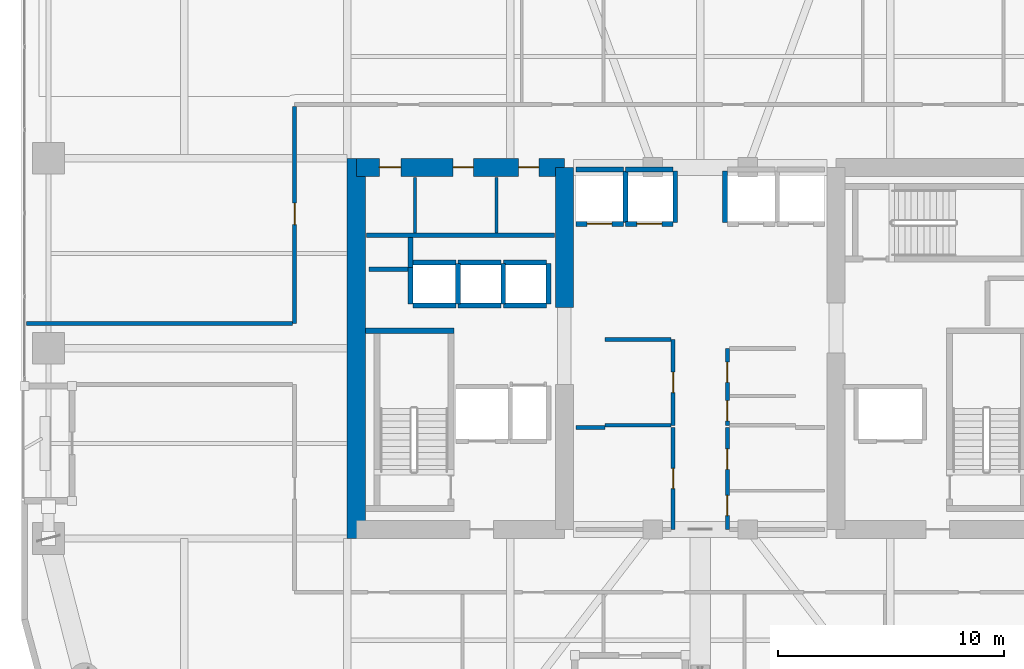
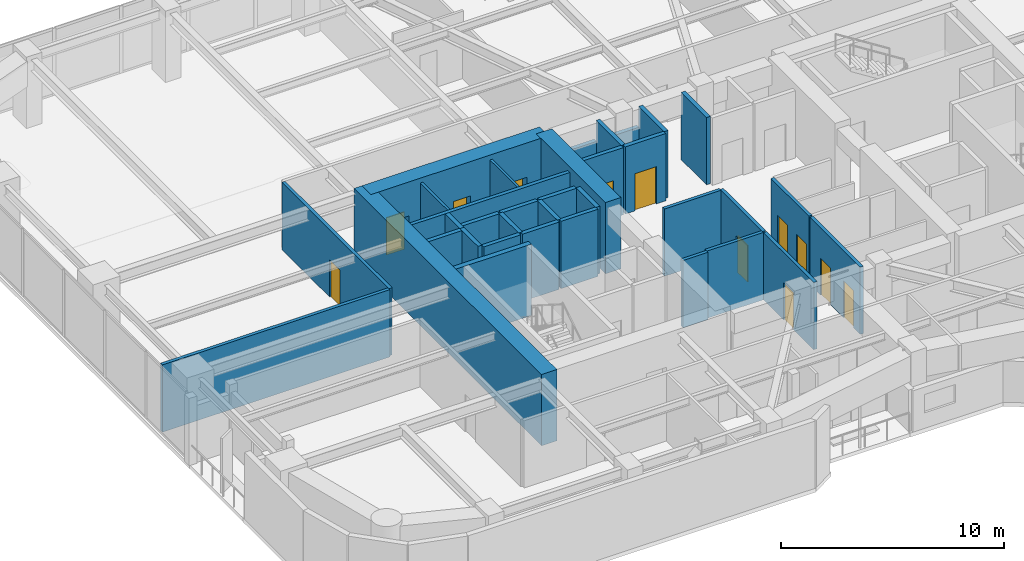
# One storey, part 25 of 30: 35 walls, 12 doors, 12 openings.
"""IFC4 building model written with IfcOpenShell, lengths in metres."""

from ifc_helpers import new_model, si_unit, direction, frame, frame_2d, origin, place, context, subcontext, project, spatial, rectangle, extrude, material, layer, layer_set, type_object, element, fill, save


model = new_model("IFC4")

# Units and contexts
model_context = context("Model", 3, precision=1e-05, world=origin(), true_north=direction((0.0, 1.0)))
body_context = subcontext(model_context, "Body", "Model", "MODEL_VIEW")
ifc_project = project(units=[si_unit("LENGTHUNIT", "METRE"), si_unit("AREAUNIT", "SQUARE_METRE"), si_unit("VOLUMEUNIT", "CUBIC_METRE"), si_unit("PLANEANGLEUNIT", "RADIAN"), si_unit("MASSUNIT", "GRAM", prefix="KILO")], contexts=[model_context])

# Site, building, storey
site_placement = place(None, origin())
site = spatial("IfcSite", under=ifc_project, at=site_placement, CompositionType="ELEMENT")
building_placement = place(site_placement, origin())
building = spatial("IfcBuilding", under=site, at=building_placement, Name="Kiyonajd Concourse Tower", CompositionType="ELEMENT")
storey_placement = place(building_placement, frame((0.0, 0.0, 150.60009765625)))
storey = spatial("IfcBuildingStorey", under=building, at=storey_placement, Name="L38", CompositionType="ELEMENT", Elevation=150.60009765625)

# Walls
ifc_material_1 = material(Name="Concrete C70/85", Category="concrete")
ifc_layer_1 = layer(ifc_material_1, 0.800048828125)
ifc_layer_set_1 = layer_set([ifc_layer_1], Name="Concrete C70/85")
wall_type_1 = type_object("IfcWallType", Name="WL-CORE-800", PredefinedType="SHEAR", material=ifc_layer_set_1)
wall_1_placement = place(storey_placement, frame((32.800048828125, 27.60009765625, 0.0), z_axis=(0.0, 0.0, 1.0), x_axis=(0.0, 1.0, 0.0)))
element("IfcWall", 1, at=wall_1_placement, inside=storey, type_object=wall_type_1, Name="L38 West Core Outer Shear Wall", PredefinedType="SHEAR", context=body_context, shape_type="SweptSolid", body=[
    extrude(rectangle(XDim=16.7998046875, YDim=0.800048828125, at=frame_2d((8.39990234375, 0.0))), origin(), (0.0, 0.0, 1.0), 3.89990234375),
])
wall_2_placement = place(storey_placement, frame((42.0, 37.800048828125, 0.0), z_axis=(0.0, 0.0, 1.0), x_axis=(0.0, 1.0, 0.0)))
element("IfcWall", 2, at=wall_2_placement, inside=storey, type_object=wall_type_1, Name="L38 West Core Inner North Shear Wall", PredefinedType="SHEAR", context=body_context, shape_type="SweptSolid", body=[
    extrude(rectangle(XDim=6.199951171875, YDim=0.800048828125, at=frame_2d((3.10009765625, 0.0))), origin(), (0.0, 0.0, 1.0), 3.89990234375),
])

# Wall, openings, doors
wall_3_placement = place(storey_placement, frame((32.800048828125, 44.0, 0.0), z_axis=(0.0, 0.0, 1.0), x_axis=(1.0, 0.0, 0.0)))
wall_3 = element("IfcWall", 3, at=wall_3_placement, inside=storey, type_object=wall_type_1, Name="L38 West Core North Shear Wall", PredefinedType="SHEAR", context=body_context, shape_type="SweptSolid", body=[
    extrude(rectangle(XDim=9.199951171875, YDim=0.800048828125, at=frame_2d((4.60009765625, 0.0))), origin(), (0.0, 0.0, 1.0), 3.89990234375),
])
opening_1_placement = place(wall_3_placement, frame((1.02490234375, 0.0, 0.0)))
opening_1 = element("IfcOpeningElement", 4, at=opening_1_placement, cuts=wall_3, Name="Opening DI1", PredefinedType="OPENING", context=body_context, shape_type="SweptSolid", body=[
    extrude(rectangle(XDim=0.949951171875, YDim=2.0400390625, at=frame_2d((0.47509765625, 1.02001953125))), frame((0.0, 0.409912109375, 0.0), z_axis=(0.0, -1.0, 0.0), x_axis=(1.0, 0.0, 0.0)), (0.0, 0.0, 1.0), 0.820068359375),
])
opening_2_placement = place(wall_3_placement, frame((4.27490234375, 0.0, 0.0)))
opening_2 = element("IfcOpeningElement", 5, at=opening_2_placement, cuts=wall_3, Name="Opening DI2", PredefinedType="OPENING", context=body_context, shape_type="SweptSolid", body=[
    extrude(rectangle(XDim=0.89990234375, YDim=2.02001953125, at=frame_2d((0.449951171875, 1.010009765625))), frame((0.0, 0.409912109375, 0.0), z_axis=(0.0, -1.0, 0.0), x_axis=(1.0, 0.0, 0.0)), (0.0, 0.0, 1.0), 0.820068359375),
])
opening_3_placement = place(wall_3_placement, frame((7.175048828125, 0.0, 0.0)))
opening_3 = element("IfcOpeningElement", 6, at=opening_3_placement, cuts=wall_3, Name="Opening DI2", PredefinedType="OPENING", context=body_context, shape_type="SweptSolid", body=[
    extrude(rectangle(XDim=0.89990234375, YDim=2.02001953125, at=frame_2d((0.449951171875, 1.010009765625))), frame((0.0, 0.409912109375, 0.0), z_axis=(0.0, -1.0, 0.0), x_axis=(1.0, 0.0, 0.0)), (0.0, 0.0, 1.0), 0.820068359375),
])
ifc_material_2 = material(Name="Natural Oak Acoustic Timber Veneer", Category="wood")
door_type_1 = type_object("IfcDoorType", Name="DR-INT-900", OperationType="NOTDEFINED", PredefinedType="DOOR", material=ifc_material_2)
door_1_placement = place(opening_2_placement, origin())
door_1 = element("IfcDoor", 7, at=door_1_placement, inside=storey, type_object=door_type_1, Name="L38 Male Restroom Door", OperationType="SINGLE_SWING_RIGHT", OverallHeight=2.02001953125, OverallWidth=0.89990234375, PredefinedType="DOOR", context=body_context, shape_type="SweptSolid", body=[
    extrude(rectangle(XDim=0.89990234375, YDim=2.02001953125, at=frame_2d((0.449951171875, 1.010009765625))), frame((0.0, 0.02490234375, 0.0), z_axis=(0.0, -1.0, 0.0), x_axis=(1.0, 0.0, 0.0)), (0.0, 0.0, 1.0), 0.050048828125),
])
fill(opening_2, door_1)
door_2_placement = place(opening_3_placement, origin())
door_2 = element("IfcDoor", 8, at=door_2_placement, inside=storey, type_object=door_type_1, Name="L38 Female Restroom Door", OperationType="SINGLE_SWING_LEFT", OverallHeight=2.02001953125, OverallWidth=0.89990234375, PredefinedType="DOOR", context=body_context, shape_type="SweptSolid", body=[
    extrude(rectangle(XDim=0.89990234375, YDim=2.02001953125, at=frame_2d((0.449951171875, 1.010009765625))), frame((0.0, 0.02490234375, 0.0), z_axis=(0.0, -1.0, 0.0), x_axis=(1.0, 0.0, 0.0)), (0.0, 0.0, 1.0), 0.050048828125),
])
fill(opening_3, door_2)
door_type_2 = type_object("IfcDoorType", Name="DR-INT-950", OperationType="NOTDEFINED", PredefinedType="DOOR", material=ifc_material_2)
door_3_placement = place(opening_1_placement, origin())
door_3 = element("IfcDoor", 9, at=door_3_placement, inside=storey, type_object=door_type_2, Name="L38 Single User Accessible WC Door", OperationType="SINGLE_SWING_LEFT", OverallHeight=2.0400390625, OverallWidth=0.949951171875, PredefinedType="DOOR", context=body_context, shape_type="SweptSolid", body=[
    extrude(rectangle(XDim=0.949951171875, YDim=2.0400390625, at=frame_2d((0.47509765625, 1.02001953125))), frame((0.0, 0.02490234375, 0.0), z_axis=(0.0, -1.0, 0.0), x_axis=(1.0, 0.0, 0.0)), (0.0, 0.0, 1.0), 0.050048828125),
])
fill(opening_1, door_3)

# Walls
ifc_material_3 = material(Name="Gypsum Board on Cold-Formed Steel Stud", Category="steel")
ifc_layer_2 = layer(ifc_material_3, 0.125)
ifc_layer_set_2 = layer_set([ifc_layer_2], Name="Gypsum Board on Cold-Formed Steel Stud")
wall_type_2 = type_object("IfcWallType", Name="WL-PART-125", PredefinedType="PARTITIONING", material=ifc_layer_set_2)
for number, where, z_axis, x_axis, name in (
    (10, (35.39990234375, 41.094970703125, 0.0), (0.0, 0.0, 1.0), (0.0, 1.0, 0.0), "L38 Interior Partition Wall"),
    (11, (39.0, 41.094970703125, 0.0), (0.0, 0.0, 1.0), (0.0, 1.0, 0.0), "L38 Interior Partition Wall"),
):
    element("IfcWall", number, at=place(storey_placement, frame(where, z_axis=z_axis, x_axis=x_axis)), inside=storey, type_object=wall_type_2, Name=name, PredefinedType="PARTITIONING", context=body_context, shape_type="SweptSolid", body=[
        extrude(rectangle(XDim=2.455078125, YDim=0.125, at=frame_2d((1.2275390625, 0.0))), origin(), (0.0, 0.0, 1.0), 3.679931640625),
    ])
ifc_layer_3 = layer(ifc_material_3, 0.18994140625)
ifc_layer_set_3 = layer_set([ifc_layer_3], Name="Gypsum Board on Cold-Formed Steel Stud")
wall_type_3 = type_object("IfcWallType", Name="WL-PLMB-190", PredefinedType="PLUMBINGWALL", material=ifc_layer_set_3)
wall_4_placement = place(storey_placement, frame((33.25, 41.0, 0.0), z_axis=(0.0, 0.0, 1.0), x_axis=(1.0, 0.0, 0.0)))
element("IfcWall", 12, at=wall_4_placement, inside=storey, type_object=wall_type_3, Name="L38 Interior Partition Wall", PredefinedType="PLUMBINGWALL", context=body_context, shape_type="SweptSolid", body=[
    extrude(rectangle(XDim=8.300048828125, YDim=0.18994140625, at=frame_2d((4.14990234375, 0.0))), origin(), (0.0, 0.0, 1.0), 3.679931640625),
])
ifc_layer_4 = layer(ifc_material_3, 0.2099609375)
ifc_layer_set_4 = layer_set([ifc_layer_4], Name="Gypsum Board on Cold-Formed Steel Stud")
wall_type_4 = type_object("IfcWallType", Name="WL-SHAFT-210", PredefinedType="PARTITIONING", material=ifc_layer_set_4)
wall_5_placement = place(storey_placement, frame((33.360107421875, 39.5, 0.0), z_axis=(0.0, 0.0, 1.0), x_axis=(1.0, 0.0, 0.0)))
element("IfcWall", 13, at=wall_5_placement, inside=storey, type_object=wall_type_4, Name="L38 Shaft Enclosure Wall", PredefinedType="PARTITIONING", context=body_context, shape_type="SweptSolid", body=[
    extrude(rectangle(XDim=1.85986328125, YDim=0.2099609375, at=frame_2d((0.929931640625, 0.0))), origin(), (0.0, 0.0, 1.0), 3.679931640625),
])
wall_6_placement = place(storey_placement, frame((35.199951171875, 39.580078125, 0.0), z_axis=(0.0, 0.0, 1.0), x_axis=(0.0, 1.0, 0.0)))
element("IfcWall", 14, at=wall_6_placement, inside=storey, type_object=wall_type_4, Name="L38 Shaft Enclosure Wall", PredefinedType="PARTITIONING", context=body_context, shape_type="SweptSolid", body=[
    extrude(rectangle(XDim=1.31982421875, YDim=0.2099609375, at=frame_2d((0.659912109375, 0.0))), origin(), (0.0, 0.0, 1.0), 3.679931640625),
])

# Wall, opening, door
wall_7_placement = place(storey_placement, frame((42.5, 41.5, 0.0), z_axis=(0.0, 0.0, 1.0), x_axis=(1.0, 0.0, 0.0)))
wall_7 = element("IfcWall", 15, at=wall_7_placement, inside=storey, type_object=wall_type_4, Name="L38 Shaft Enclosure Wall", PredefinedType="PARTITIONING", context=body_context, shape_type="SweptSolid", body=[
    extrude(rectangle(XDim=2.10009765625, YDim=0.2099609375, at=frame_2d((1.050048828125, 0.0))), origin(), (0.0, 0.0, 1.0), 3.679931640625),
])
opening_4_placement = place(wall_7_placement, frame((0.5, 0.0, 0.0)))
opening_4 = element("IfcOpeningElement", 16, at=opening_4_placement, cuts=wall_7, Name="Opening LD1", PredefinedType="OPENING", context=body_context, shape_type="SweptSolid", body=[
    extrude(rectangle(XDim=1.10009765625, YDim=2.0400390625, at=frame_2d((0.550048828125, 1.02001953125))), frame((0.0, 0.114990234375, 0.0), z_axis=(0.0, -1.0, 0.0), x_axis=(1.0, 0.0, 0.0)), (0.0, 0.0, 1.0), 0.22998046875),
])
ifc_material_4 = material(Name="Brushed Stainless Steel Cab Assembly", Category="steel")
door_type_3 = type_object("IfcDoorType", Name="DR-LD-1100", OperationType="DOUBLE_DOOR_SLIDING", PredefinedType="DOOR", material=ifc_material_4)
door_4_placement = place(opening_4_placement, origin())
door_4 = element("IfcDoor", 17, at=door_4_placement, inside=storey, type_object=door_type_3, Name="L38 Lift PL-M1 Sliding Landing Door", OperationType="DOUBLE_DOOR_SLIDING", OverallHeight=2.0400390625, OverallWidth=1.10009765625, PredefinedType="DOOR", context=body_context, shape_type="SweptSolid", body=[
    extrude(rectangle(XDim=1.10009765625, YDim=2.0400390625, at=frame_2d((0.550048828125, 1.02001953125))), frame((0.0, 0.02490234375, 0.0), z_axis=(0.0, -1.0, 0.0), x_axis=(1.0, 0.0, 0.0)), (0.0, 0.0, 1.0), 0.050048828125),
])
fill(opening_4, door_4)

# Walls
wall_8_placement = place(storey_placement, frame((42.5, 43.89990234375, 0.0), z_axis=(0.0, 0.0, 1.0), x_axis=(1.0, 0.0, 0.0)))
element("IfcWall", 18, at=wall_8_placement, inside=storey, type_object=wall_type_4, Name="L38 Shaft Enclosure Wall", PredefinedType="PARTITIONING", context=body_context, shape_type="SweptSolid", body=[
    extrude(rectangle(XDim=2.10009765625, YDim=0.2099609375, at=frame_2d((1.050048828125, 0.0))), origin(), (0.0, 0.0, 1.0), 2.56494140625),
])
wall_9_placement = place(storey_placement, frame((44.699951171875, 41.56005859375, 0.0), z_axis=(0.0, 0.0, 1.0), x_axis=(0.0, 1.0, 0.0)))
element("IfcWall", 19, at=wall_9_placement, inside=storey, type_object=wall_type_4, Name="L38 Shaft Enclosure Wall", PredefinedType="PARTITIONING", context=body_context, shape_type="SweptSolid", body=[
    extrude(rectangle(XDim=2.280029296875, YDim=0.2099609375, at=frame_2d((1.14013671875, 0.0))), origin(), (0.0, 0.0, 1.0), 3.679931640625),
])

# Wall, opening, door
wall_10_placement = place(storey_placement, frame((44.699951171875, 41.5, 0.0), z_axis=(0.0, 0.0, 1.0), x_axis=(1.0, 0.0, 0.0)))
wall_10 = element("IfcWall", 20, at=wall_10_placement, inside=storey, type_object=wall_type_4, Name="L38 Shaft Enclosure Wall", PredefinedType="PARTITIONING", context=body_context, shape_type="SweptSolid", body=[
    extrude(rectangle(XDim=2.10009765625, YDim=0.2099609375, at=frame_2d((1.050048828125, 0.0))), origin(), (0.0, 0.0, 1.0), 3.679931640625),
])
opening_5_placement = place(wall_10_placement, frame((0.5, 0.0, 0.0)))
opening_5 = element("IfcOpeningElement", 21, at=opening_5_placement, cuts=wall_10, Name="Opening LD1", PredefinedType="OPENING", context=body_context, shape_type="SweptSolid", body=[
    extrude(rectangle(XDim=1.10009765625, YDim=2.0400390625, at=frame_2d((0.550048828125, 1.02001953125))), frame((0.0, 0.114990234375, 0.0), z_axis=(0.0, -1.0, 0.0), x_axis=(1.0, 0.0, 0.0)), (0.0, 0.0, 1.0), 0.22998046875),
])
door_5_placement = place(opening_5_placement, origin())
door_5 = element("IfcDoor", 22, at=door_5_placement, inside=storey, type_object=door_type_3, Name="L38 Lift PL-M2 Sliding Landing Door", OperationType="DOUBLE_DOOR_SLIDING", OverallHeight=2.0400390625, OverallWidth=1.10009765625, PredefinedType="DOOR", context=body_context, shape_type="SweptSolid", body=[
    extrude(rectangle(XDim=1.10009765625, YDim=2.0400390625, at=frame_2d((0.550048828125, 1.02001953125))), frame((0.0, 0.02490234375, 0.0), z_axis=(0.0, -1.0, 0.0), x_axis=(1.0, 0.0, 0.0)), (0.0, 0.0, 1.0), 0.050048828125),
])
fill(opening_5, door_5)

# Walls
wall_11_placement = place(storey_placement, frame((44.699951171875, 43.89990234375, 0.0), z_axis=(0.0, 0.0, 1.0), x_axis=(1.0, 0.0, 0.0)))
element("IfcWall", 23, at=wall_11_placement, inside=storey, type_object=wall_type_4, Name="L38 Shaft Enclosure Wall", PredefinedType="PARTITIONING", context=body_context, shape_type="SweptSolid", body=[
    extrude(rectangle(XDim=2.10009765625, YDim=0.2099609375, at=frame_2d((1.050048828125, 0.0))), origin(), (0.0, 0.0, 1.0), 2.56494140625),
])
for number, where, z_axis, x_axis, name in (
    (24, (46.89990234375, 41.56005859375, 0.0), (0.0, 0.0, 1.0), (0.0, 1.0, 0.0), "L38 Shaft Enclosure Wall"),
    (25, (49.10009765625, 41.56005859375, 0.0), (0.0, 0.0, 1.0), (0.0, 1.0, 0.0), "L38 Shaft Enclosure Wall"),
):
    element("IfcWall", number, at=place(storey_placement, frame(where, z_axis=z_axis, x_axis=x_axis)), inside=storey, type_object=wall_type_4, Name=name, PredefinedType="PARTITIONING", context=body_context, shape_type="SweptSolid", body=[
        extrude(rectangle(XDim=2.280029296875, YDim=0.2099609375, at=frame_2d((1.14013671875, 0.0))), origin(), (0.0, 0.0, 1.0), 3.679931640625),
    ])
for number, where, z_axis, x_axis, name in (
    (26, (35.300048828125, 37.89990234375, 0.0), (0.0, 0.0, 1.0), (1.0, 0.0, 0.0), "L38 Shaft Enclosure Wall"),
    (27, (35.300048828125, 39.800048828125, 0.0), (0.0, 0.0, 1.0), (1.0, 0.0, 0.0), "L38 Shaft Enclosure Wall"),
):
    element("IfcWall", number, at=place(storey_placement, frame(where, z_axis=z_axis, x_axis=x_axis)), inside=storey, type_object=wall_type_4, Name=name, PredefinedType="PARTITIONING", context=body_context, shape_type="SweptSolid", body=[
        extrude(rectangle(XDim=1.89990234375, YDim=0.2099609375, at=frame_2d((0.949951171875, 0.0))), origin(), (0.0, 0.0, 1.0), 3.679931640625),
    ])
wall_12_placement = place(storey_placement, frame((35.199951171875, 37.9599609375, 0.0), z_axis=(0.0, 0.0, 1.0), x_axis=(0.0, 1.0, 0.0)))
element("IfcWall", 28, at=wall_12_placement, inside=storey, type_object=wall_type_4, Name="L38 Shaft Enclosure Wall", PredefinedType="PARTITIONING", context=body_context, shape_type="SweptSolid", body=[
    extrude(rectangle(XDim=1.6201171875, YDim=0.2099609375, at=frame_2d((0.81005859375, 0.0))), origin(), (0.0, 0.0, 1.0), 3.679931640625),
])
wall_13_placement = place(storey_placement, frame((37.300048828125, 37.9599609375, 0.0), z_axis=(0.0, 0.0, 1.0), x_axis=(0.0, 1.0, 0.0)))
element("IfcWall", 29, at=wall_13_placement, inside=storey, type_object=wall_type_4, Name="L38 Shaft Enclosure Wall", PredefinedType="PARTITIONING", context=body_context, shape_type="SweptSolid", body=[
    extrude(rectangle(XDim=1.780029296875, YDim=0.2099609375, at=frame_2d((0.89013671875, 0.0))), origin(), (0.0, 0.0, 1.0), 3.679931640625),
])
for number, where, z_axis, x_axis, name in (
    (30, (37.300048828125, 37.89990234375, 0.0), (0.0, 0.0, 1.0), (1.0, 0.0, 0.0), "L38 Shaft Enclosure Wall"),
    (31, (37.300048828125, 39.800048828125, 0.0), (0.0, 0.0, 1.0), (1.0, 0.0, 0.0), "L38 Shaft Enclosure Wall"),
):
    element("IfcWall", number, at=place(storey_placement, frame(where, z_axis=z_axis, x_axis=x_axis)), inside=storey, type_object=wall_type_4, Name=name, PredefinedType="PARTITIONING", context=body_context, shape_type="SweptSolid", body=[
        extrude(rectangle(XDim=1.89990234375, YDim=0.2099609375, at=frame_2d((0.949951171875, 0.0))), origin(), (0.0, 0.0, 1.0), 3.679931640625),
    ])
wall_14_placement = place(storey_placement, frame((39.300048828125, 37.9599609375, 0.0), z_axis=(0.0, 0.0, 1.0), x_axis=(0.0, 1.0, 0.0)))
element("IfcWall", 32, at=wall_14_placement, inside=storey, type_object=wall_type_4, Name="L38 Shaft Enclosure Wall", PredefinedType="PARTITIONING", context=body_context, shape_type="SweptSolid", body=[
    extrude(rectangle(XDim=1.780029296875, YDim=0.2099609375, at=frame_2d((0.89013671875, 0.0))), origin(), (0.0, 0.0, 1.0), 3.679931640625),
])
for number, where, z_axis, x_axis, name in (
    (33, (39.300048828125, 37.89990234375, 0.0), (0.0, 0.0, 1.0), (1.0, 0.0, 0.0), "L38 Shaft Enclosure Wall"),
    (34, (39.300048828125, 39.800048828125, 0.0), (0.0, 0.0, 1.0), (1.0, 0.0, 0.0), "L38 Shaft Enclosure Wall"),
):
    element("IfcWall", number, at=place(storey_placement, frame(where, z_axis=z_axis, x_axis=x_axis)), inside=storey, type_object=wall_type_4, Name=name, PredefinedType="PARTITIONING", context=body_context, shape_type="SweptSolid", body=[
        extrude(rectangle(XDim=1.89990234375, YDim=0.2099609375, at=frame_2d((0.949951171875, 0.0))), origin(), (0.0, 0.0, 1.0), 3.679931640625),
    ])
wall_15_placement = place(storey_placement, frame((41.300048828125, 37.9599609375, 0.0), z_axis=(0.0, 0.0, 1.0), x_axis=(0.0, 1.0, 0.0)))
element("IfcWall", 35, at=wall_15_placement, inside=storey, type_object=wall_type_4, Name="L38 Shaft Enclosure Wall", PredefinedType="PARTITIONING", context=body_context, shape_type="SweptSolid", body=[
    extrude(rectangle(XDim=1.780029296875, YDim=0.2099609375, at=frame_2d((0.89013671875, 0.0))), origin(), (0.0, 0.0, 1.0), 3.679931640625),
])

# Wall, opening, door
ifc_layer_5 = layer(ifc_material_3, 0.169921875)
ifc_layer_set_5 = layer_set([ifc_layer_5], Name="Gypsum Board on Cold-Formed Steel Stud")
wall_type_5 = type_object("IfcWallType", Name="WL-SMK-170", PredefinedType="PARTITIONING", material=ifc_layer_set_5)
wall_16_placement = place(storey_placement, frame((46.800048828125, 32.60009765625, 0.0), z_axis=(0.0, 0.0, 1.0), x_axis=(0.0, 1.0, 0.0)))
wall_16 = element("IfcWall", 36, at=wall_16_placement, inside=storey, type_object=wall_type_5, Name="L38 Interior Partition Wall", PredefinedType="PARTITIONING", context=body_context, shape_type="SweptSolid", body=[
    extrude(rectangle(XDim=3.7998046875, YDim=0.169921875, at=frame_2d((1.89990234375, 0.0))), origin(), (0.0, 0.0, 1.0), 3.679931640625),
])
opening_6_placement = place(wall_16_placement, frame((1.449951171875, 0.0, 0.0)))
opening_6 = element("IfcOpeningElement", 37, at=opening_6_placement, cuts=wall_16, Name="Opening DI2", PredefinedType="OPENING", context=body_context, shape_type="SweptSolid", body=[
    extrude(rectangle(XDim=0.89990234375, YDim=2.02001953125, at=frame_2d((0.449951171875, 1.010009765625))), frame((0.0, 0.094970703125, 0.0), z_axis=(0.0, -1.0, 0.0), x_axis=(1.0, 0.0, 0.0)), (0.0, 0.0, 1.0), 0.18994140625),
])
door_6_placement = place(opening_6_placement, origin())
door_6 = element("IfcDoor", 38, at=door_6_placement, inside=storey, type_object=door_type_1, Name="L38 Interior Door", OperationType="SINGLE_SWING_LEFT", OverallHeight=2.02001953125, OverallWidth=0.89990234375, PredefinedType="DOOR", context=body_context, shape_type="SweptSolid", body=[
    extrude(rectangle(XDim=0.89990234375, YDim=2.02001953125, at=frame_2d((0.449951171875, 1.010009765625))), frame((0.0, 0.02490234375, 0.0), z_axis=(0.0, -1.0, 0.0), x_axis=(1.0, 0.0, 0.0)), (0.0, 0.0, 1.0), 0.050048828125),
])
fill(opening_6, door_6)

# Walls
for number, where, z_axis, x_axis, name in (
    (39, (43.800048828125, 32.60009765625, 0.0), (0.0, 0.0, 1.0), (1.0, 0.0, 0.0), "L38 Interior Partition Wall"),
    (40, (43.800048828125, 36.39990234375, 0.0), (0.0, 0.0, 1.0), (1.0, 0.0, 0.0), "L38 Interior Partition Wall"),
):
    element("IfcWall", number, at=place(storey_placement, frame(where, z_axis=z_axis, x_axis=x_axis)), inside=storey, type_object=wall_type_5, Name=name, PredefinedType="PARTITIONING", context=body_context, shape_type="SweptSolid", body=[
        extrude(rectangle(XDim=2.912841796875, YDim=0.169921875, at=frame_2d((1.45654296875, 0.0))), origin(), (0.0, 0.0, 1.0), 3.679931640625),
    ])

# Wall, openings, doors
wall_17_placement = place(storey_placement, frame((49.199951171875, 32.60009765625, 0.0), z_axis=(0.0, 0.0, 1.0), x_axis=(0.0, 1.0, 0.0)))
wall_17 = element("IfcWall", 41, at=wall_17_placement, inside=storey, type_object=wall_type_5, Name="L38 Interior Partition Wall", PredefinedType="PARTITIONING", context=body_context, shape_type="SweptSolid", body=[
    extrude(rectangle(XDim=3.39990234375, YDim=0.169921875, at=frame_2d((1.699951171875, 0.0))), origin(), (0.0, 0.0, 1.0), 3.679931640625),
])
opening_7_placement = place(wall_17_placement, frame((0.196044921875, 0.0, 0.0)))
opening_7 = element("IfcOpeningElement", 42, at=opening_7_placement, cuts=wall_17, Name="Opening DI2", PredefinedType="OPENING", context=body_context, shape_type="SweptSolid", body=[
    extrude(rectangle(XDim=0.89990234375, YDim=2.02001953125, at=frame_2d((0.449951171875, 1.010009765625))), frame((0.0, 0.094970703125, 0.0), z_axis=(0.0, -1.0, 0.0), x_axis=(1.0, 0.0, 0.0)), (0.0, 0.0, 1.0), 0.18994140625),
])
opening_8_placement = place(wall_17_placement, frame((1.89599609375, 0.0, 0.0)))
opening_8 = element("IfcOpeningElement", 43, at=opening_8_placement, cuts=wall_17, Name="Opening DI2", PredefinedType="OPENING", context=body_context, shape_type="SweptSolid", body=[
    extrude(rectangle(XDim=0.89990234375, YDim=2.02001953125, at=frame_2d((0.449951171875, 1.010009765625))), frame((0.0, 0.094970703125, 0.0), z_axis=(0.0, -1.0, 0.0), x_axis=(1.0, 0.0, 0.0)), (0.0, 0.0, 1.0), 0.18994140625),
])
door_7_placement = place(opening_7_placement, origin())
door_7 = element("IfcDoor", 44, at=door_7_placement, inside=storey, type_object=door_type_1, Name="L38 Interior Door", OperationType="SINGLE_SWING_RIGHT", OverallHeight=2.02001953125, OverallWidth=0.89990234375, PredefinedType="DOOR", context=body_context, shape_type="SweptSolid", body=[
    extrude(rectangle(XDim=0.89990234375, YDim=2.02001953125, at=frame_2d((0.449951171875, 1.010009765625))), frame((0.0, 0.02490234375, 0.0), z_axis=(0.0, -1.0, 0.0), x_axis=(1.0, 0.0, 0.0)), (0.0, 0.0, 1.0), 0.050048828125),
])
fill(opening_7, door_7)
door_8_placement = place(opening_8_placement, origin())
door_8 = element("IfcDoor", 45, at=door_8_placement, inside=storey, type_object=door_type_1, Name="L38 Interior Door", OperationType="SINGLE_SWING_LEFT", OverallHeight=2.02001953125, OverallWidth=0.89990234375, PredefinedType="DOOR", context=body_context, shape_type="SweptSolid", body=[
    extrude(rectangle(XDim=0.89990234375, YDim=2.02001953125, at=frame_2d((0.449951171875, 1.010009765625))), frame((0.0, 0.02490234375, 0.0), z_axis=(0.0, -1.0, 0.0), x_axis=(1.0, 0.0, 0.0)), (0.0, 0.0, 1.0), 0.050048828125),
])
fill(opening_8, door_8)

# Wall, opening, door
wall_18_placement = place(storey_placement, frame((46.800048828125, 28.0, 0.0), z_axis=(0.0, 0.0, 1.0), x_axis=(0.0, 1.0, 0.0)))
wall_18 = element("IfcWall", 46, at=wall_18_placement, inside=storey, type_object=wall_type_5, Name="L38 Interior Partition Wall", PredefinedType="PARTITIONING", context=body_context, shape_type="SweptSolid", body=[
    extrude(rectangle(XDim=4.5, YDim=0.169921875, at=frame_2d((2.25, 0.0))), origin(), (0.0, 0.0, 1.0), 3.679931640625),
])
opening_9_placement = place(wall_18_placement, frame((1.800048828125, 0.0, 0.0)))
opening_9 = element("IfcOpeningElement", 47, at=opening_9_placement, cuts=wall_18, Name="Opening DI2", PredefinedType="OPENING", context=body_context, shape_type="SweptSolid", body=[
    extrude(rectangle(XDim=0.89990234375, YDim=2.02001953125, at=frame_2d((0.449951171875, 1.010009765625))), frame((0.0, 0.094970703125, 0.0), z_axis=(0.0, -1.0, 0.0), x_axis=(1.0, 0.0, 0.0)), (0.0, 0.0, 1.0), 0.18994140625),
])
door_9_placement = place(opening_9_placement, origin())
door_9 = element("IfcDoor", 48, at=door_9_placement, inside=storey, type_object=door_type_1, Name="L38 Interior Door", OperationType="SINGLE_SWING_RIGHT", OverallHeight=2.02001953125, OverallWidth=0.89990234375, PredefinedType="DOOR", context=body_context, shape_type="SweptSolid", body=[
    extrude(rectangle(XDim=0.89990234375, YDim=2.02001953125, at=frame_2d((0.449951171875, 1.010009765625))), frame((0.0, 0.02490234375, 0.0), z_axis=(0.0, -1.0, 0.0), x_axis=(1.0, 0.0, 0.0)), (0.0, 0.0, 1.0), 0.050048828125),
])
fill(opening_9, door_9)

# Wall
wall_19_placement = place(storey_placement, frame((42.5, 32.5, 0.0), z_axis=(0.0, 0.0, 1.0), x_axis=(1.0, 0.0, 0.0)))
element("IfcWall", 49, at=wall_19_placement, inside=storey, type_object=wall_type_5, Name="L38 Interior Partition Wall", PredefinedType="PARTITIONING", context=body_context, shape_type="SweptSolid", body=[
    extrude(rectangle(XDim=1.300048828125, YDim=0.169921875, at=frame_2d((0.64990234375, 0.0))), origin(), (0.0, 0.0, 1.0), 3.679931640625),
])

# Wall, openings, doors
wall_20_placement = place(storey_placement, frame((49.199951171875, 28.0, 0.0), z_axis=(0.0, 0.0, 1.0), x_axis=(0.0, 1.0, 0.0)))
wall_20 = element("IfcWall", 50, at=wall_20_placement, inside=storey, type_object=wall_type_5, Name="L38 Interior Partition Wall", PredefinedType="PARTITIONING", context=body_context, shape_type="SweptSolid", body=[
    extrude(rectangle(XDim=4.5, YDim=0.169921875, at=frame_2d((2.25, 0.0))), origin(), (0.0, 0.0, 1.0), 3.679931640625),
])
opening_10_placement = place(wall_20_placement, frame((0.60498046875, 0.0, 0.0)))
opening_10 = element("IfcOpeningElement", 51, at=opening_10_placement, cuts=wall_20, Name="Opening DI2", PredefinedType="OPENING", context=body_context, shape_type="SweptSolid", body=[
    extrude(rectangle(XDim=0.89990234375, YDim=2.02001953125, at=frame_2d((0.449951171875, 1.010009765625))), frame((0.0, 0.094970703125, 0.0), z_axis=(0.0, -1.0, 0.0), x_axis=(1.0, 0.0, 0.0)), (0.0, 0.0, 1.0), 0.18994140625),
])
opening_11_placement = place(wall_20_placement, frame((2.655029296875, 0.0, 0.0)))
opening_11 = element("IfcOpeningElement", 52, at=opening_11_placement, cuts=wall_20, Name="Opening DI2", PredefinedType="OPENING", context=body_context, shape_type="SweptSolid", body=[
    extrude(rectangle(XDim=0.89990234375, YDim=2.02001953125, at=frame_2d((0.449951171875, 1.010009765625))), frame((0.0, 0.094970703125, 0.0), z_axis=(0.0, -1.0, 0.0), x_axis=(1.0, 0.0, 0.0)), (0.0, 0.0, 1.0), 0.18994140625),
])
door_10_placement = place(opening_10_placement, origin())
door_10 = element("IfcDoor", 53, at=door_10_placement, inside=storey, type_object=door_type_1, Name="L38 Interior Door", OperationType="SINGLE_SWING_LEFT", OverallHeight=2.02001953125, OverallWidth=0.89990234375, PredefinedType="DOOR", context=body_context, shape_type="SweptSolid", body=[
    extrude(rectangle(XDim=0.89990234375, YDim=2.02001953125, at=frame_2d((0.449951171875, 1.010009765625))), frame((0.0, 0.02490234375, 0.0), z_axis=(0.0, -1.0, 0.0), x_axis=(1.0, 0.0, 0.0)), (0.0, 0.0, 1.0), 0.050048828125),
])
fill(opening_10, door_10)
door_11_placement = place(opening_11_placement, origin())
door_11 = element("IfcDoor", 54, at=door_11_placement, inside=storey, type_object=door_type_1, Name="L38 Interior Door", OperationType="SINGLE_SWING_RIGHT", OverallHeight=2.02001953125, OverallWidth=0.89990234375, PredefinedType="DOOR", context=body_context, shape_type="SweptSolid", body=[
    extrude(rectangle(XDim=0.89990234375, YDim=2.02001953125, at=frame_2d((0.449951171875, 1.010009765625))), frame((0.0, 0.02490234375, 0.0), z_axis=(0.0, -1.0, 0.0), x_axis=(1.0, 0.0, 0.0)), (0.0, 0.0, 1.0), 0.050048828125),
])
fill(opening_11, door_11)

# Wall, opening, door
wall_21_placement = place(storey_placement, frame((30.074951171875, 37.10009765625, 0.0), z_axis=(0.0, 0.0, 1.0), x_axis=(0.0, 1.0, 0.0)))
wall_21 = element("IfcWall", 55, at=wall_21_placement, inside=storey, type_object=wall_type_5, Name="L38 Interior Partition Wall", PredefinedType="PARTITIONING", context=body_context, shape_type="SweptSolid", body=[
    extrude(rectangle(XDim=9.593017578125, YDim=0.169921875, at=frame_2d((4.79638671875, 0.0))), origin(), (0.0, 0.0, 1.0), 3.679931640625),
])
opening_12_placement = place(wall_21_placement, frame((4.364990234375, 0.0, 0.0)))
opening_12 = element("IfcOpeningElement", 56, at=opening_12_placement, cuts=wall_21, Name="Opening DI1", PredefinedType="OPENING", context=body_context, shape_type="SweptSolid", body=[
    extrude(rectangle(XDim=0.949951171875, YDim=2.0400390625, at=frame_2d((0.47509765625, 1.02001953125))), frame((0.0, 0.094970703125, 0.0), z_axis=(0.0, -1.0, 0.0), x_axis=(1.0, 0.0, 0.0)), (0.0, 0.0, 1.0), 0.18994140625),
])
door_12_placement = place(opening_12_placement, origin())
door_12 = element("IfcDoor", 57, at=door_12_placement, inside=storey, type_object=door_type_2, Name="L38 Interior Door", OperationType="SINGLE_SWING_RIGHT", OverallHeight=2.0400390625, OverallWidth=0.949951171875, PredefinedType="DOOR", context=body_context, shape_type="SweptSolid", body=[
    extrude(rectangle(XDim=0.949951171875, YDim=2.0400390625, at=frame_2d((0.47509765625, 1.02001953125))), frame((0.0, 0.02490234375, 0.0), z_axis=(0.0, -1.0, 0.0), x_axis=(1.0, 0.0, 0.0)), (0.0, 0.0, 1.0), 0.050048828125),
])
fill(opening_12, door_12)

# Walls
wall_22_placement = place(storey_placement, frame((18.22509765625, 37.10009765625, 0.0), z_axis=(0.0, 0.0, 1.0), x_axis=(1.0, 0.0, 0.0)))
element("IfcWall", 58, at=wall_22_placement, inside=storey, type_object=wall_type_5, Name="L38 Interior Partition Wall", PredefinedType="PARTITIONING", context=body_context, shape_type="SweptSolid", body=[
    extrude(rectangle(XDim=11.762939453125, YDim=0.169921875, at=frame_2d((5.88134765625, 0.0))), origin(), (0.0, 0.0, 1.0), 3.679931640625),
])
ifc_material_5 = material(Name="Concrete C50/60", Category="concrete")
ifc_layer_6 = layer(ifc_material_5, 0.260009765625)
ifc_layer_set_6 = layer_set([ifc_layer_6], Name="Concrete C50/60")
wall_type_6 = type_object("IfcWallType", Name="WL-STAIR-260", PredefinedType="SHEAR", material=ifc_layer_set_6)
wall_23_placement = place(storey_placement, frame((33.199951171875, 36.780029296875, 0.0), z_axis=(0.0, 0.0, 1.0), x_axis=(1.0, 0.0, 0.0)))
element("IfcWall", 59, at=wall_23_placement, inside=storey, type_object=wall_type_6, Name="L38 Stair ST1 Structural North Wall", PredefinedType="SHEAR", context=body_context, shape_type="SweptSolid", body=[
    extrude(rectangle(XDim=3.91015625, YDim=0.260009765625, at=frame_2d((1.955078125, 0.0))), origin(), (0.0, 0.0, 1.0), 3.89990234375),
])

save(model, "model.ifc")
